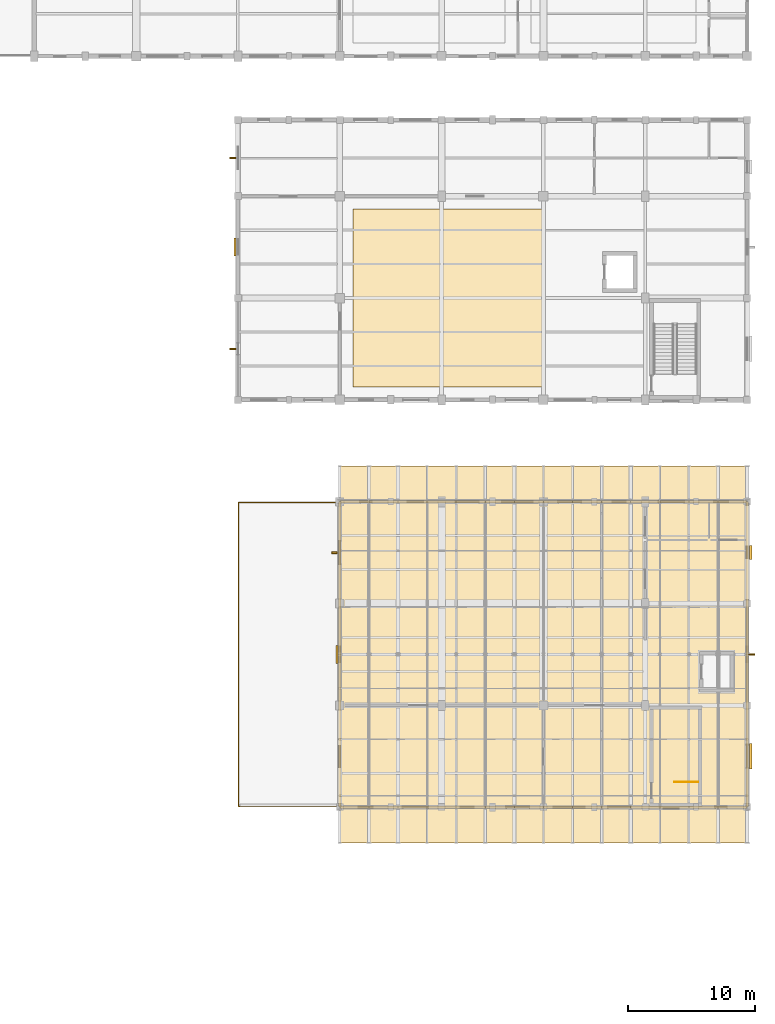
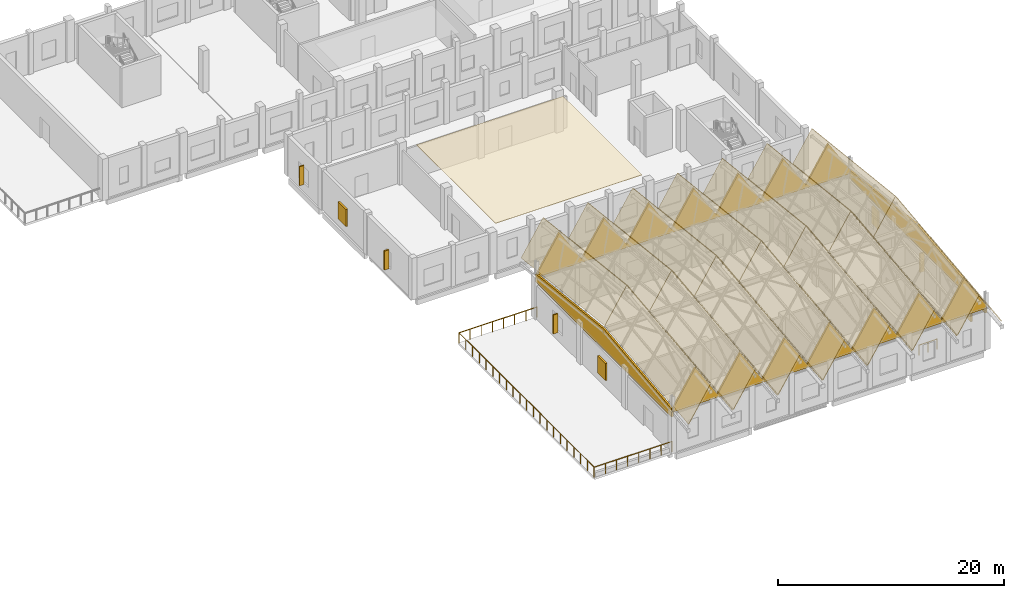
# One storey, part 75 of 77: 33 coverings, 8 shading devices, 2 railings.
"""IFC4 building model written with IfcOpenShell, lengths in metres."""

from ifc_helpers import new_model, si_unit, direction, frame, origin, origin_2d, place, context, subcontext, project, spatial, polyline, rectangle, circle, outline, extrude, material, layer, layer_set, type_object, element, save


model = new_model("IFC4")

# Units and contexts
model_context = context("Model", 3, precision=1e-05, world=origin(), true_north=direction((0.0, 1.0)))
body_context = subcontext(model_context, "Body", "Model", "MODEL_VIEW")
ifc_project = project(units=[si_unit("LENGTHUNIT", "METRE"), si_unit("AREAUNIT", "SQUARE_METRE"), si_unit("VOLUMEUNIT", "CUBIC_METRE"), si_unit("PLANEANGLEUNIT", "RADIAN"), si_unit("MASSUNIT", "GRAM", prefix="KILO")], contexts=[model_context])

# Site, building, storey
site_placement = place(None, origin())
site = spatial("IfcSite", under=ifc_project, at=site_placement, CompositionType="ELEMENT")
building_placement = place(site_placement, origin())
building = spatial("IfcBuilding", under=site, at=building_placement, Name="Luwemba Playhouse", CompositionType="ELEMENT")
storey_placement = place(building_placement, frame((0.0, 0.0, 9.300048828125)))
storey = spatial("IfcBuildingStorey", under=building, at=storey_placement, Name="L02", CompositionType="ELEMENT", Elevation=9.300048828125)

# Coverings
ifc_material_1 = material(Name="Perforated acoustic gypsum and timber baffle ceiling", Category="wood")
ifc_layer_1 = layer(ifc_material_1, 0.044921875)
ifc_layer_set_1 = layer_set([ifc_layer_1], Name="Perforated acoustic gypsum and timber baffle ceiling")
covering_type_1 = type_object("IfcCoveringType", Name="COV-CEIL-AC", PredefinedType="CEILING", material=ifc_layer_set_1)
covering_1_placement = place(storey_placement, frame((0.0, 0.0, 4.224853515625)))
element("IfcCovering", 1, at=covering_1_placement, inside=storey, type_object=covering_type_1, Name="L02 Live Cultural Broadcast Studio acoustic ceiling cloud", PredefinedType="CEILING", context=body_context, shape_type="SweptSolid", body=[
    extrude(outline(polyline([(141.02001953125, 69.02001953125), (155.97998046875, 69.02001953125), (155.97998046875, 82.97998046875), (141.02001953125, 82.97998046875), (141.02001953125, 69.02001953125)])), origin(), (0.0, 0.0, 1.0), 0.045166015625),
])
ifc_material_2 = material(Name="Glazed terracotta clay roof tile", Category="masonry")
ifc_layer_2 = layer(ifc_material_2, 0.06494140625)
ifc_layer_set_2 = layer_set([ifc_layer_2], Name="Glazed terracotta clay roof tile")
covering_type_2 = type_object("IfcCoveringType", Name="COV-ROOF-TILE", PredefinedType="ROOFING", material=ifc_layer_set_2)
covering_2_placement = place(storey_placement, frame((140.02490234375, 33.199951171875, 4.65185546875), z_axis=(-0.846277470832, -0.059386512843, 0.529422028682), x_axis=(0.530358076986, 0.0, 0.847773737607)))
element("IfcCovering", 2, at=covering_2_placement, inside=storey, type_object=covering_type_2, Name="RF-V3 glazed clay-tile roofing 1S", PredefinedType="ROOFING", context=body_context, shape_type="SweptSolid", body=[
    extrude(outline(polyline([(0.0, 0.0), (4.215717532681383, 0.0), (5.623154401754851, 14.826216157498546), (1.4074368690734689, 14.826216157498546), (0.0, 0.0)])), origin(), (0.0, 0.0, -1.0), 0.06494140625),
])
covering_3_placement = place(storey_placement, frame((140.02490234375, 48.0, 6.31201171875), z_axis=(-0.846277470832, 0.059386512843, 0.529422028682), x_axis=(0.530358076986, 0.0, 0.847773737607)))
element("IfcCovering", 3, at=covering_3_placement, inside=storey, type_object=covering_type_2, Name="RF-V3 glazed clay-tile roofing 1N", PredefinedType="ROOFING", context=body_context, shape_type="SweptSolid", body=[
    extrude(outline(polyline([(0.0, 0.0), (4.215717532681383, 0.0), (2.8082806636079143, 14.826216157498546), (-1.4074368690734689, 14.826216157498546), (0.0, 0.0)])), origin(), (0.0, 0.0, -1.0), 0.06494140625),
])
covering_4_placement = place(storey_placement, frame((142.310791015625, 33.199951171875, 8.225830078125), z_axis=(0.8463036975, -0.059381868407, 0.529380624223), x_axis=(0.530316452539, 0.0, -0.847799775988)))
element("IfcCovering", 4, at=covering_4_placement, inside=storey, type_object=covering_type_2, Name="RF-V3 glazed clay-tile roofing 2S", PredefinedType="ROOFING", context=body_context, shape_type="SweptSolid", body=[
    extrude(outline(polyline([(0.0, 0.0), (4.215588055810025, -2.7755575615628914e-17), (2.808107958954328, 14.82621205386775), (-1.4074800968556973, 14.82621205386775), (0.0, 0.0)])), origin(), (0.0, 0.0, -1.0), 0.06494140625),
])
covering_5_placement = place(storey_placement, frame((142.310791015625, 48.0, 9.885986328125), z_axis=(0.8463036975, 0.059381868407, 0.529380624223), x_axis=(0.530316452539, 0.0, -0.847799775988)))
element("IfcCovering", 5, at=covering_5_placement, inside=storey, type_object=covering_type_2, Name="RF-V3 glazed clay-tile roofing 2N", PredefinedType="ROOFING", context=body_context, shape_type="SweptSolid", body=[
    extrude(outline(polyline([(0.0, 0.0), (4.215588055810025, 2.7755575615628914e-17), (5.623068152665723, 14.826212053867748), (1.4074800968556973, 14.82621205386775), (0.0, 0.0)])), origin(), (0.0, 0.0, -1.0), 0.06494140625),
])
covering_6_placement = place(storey_placement, frame((144.596435546875, 33.199951171875, 4.65185546875), z_axis=(-0.846312119209, -0.059376064959, 0.529367811441), x_axis=(0.530303479615, -9.10166e-07, 0.847807890685)))
element("IfcCovering", 6, at=covering_6_placement, inside=storey, type_object=covering_type_2, Name="RF-V3 glazed clay-tile roofing 3S", PredefinedType="ROOFING", context=body_context, shape_type="SweptSolid", body=[
    extrude(outline(polyline([(0.0, 0.0), (4.21558805531475, -1.3877787807814457e-17), (5.623068153326359, 14.826212053617192), (1.4072731136632972, 14.826204366091767), (0.0, 0.0)])), origin(), (0.0, 0.0, -1.0), 0.06494140625),
])
covering_7_placement = place(storey_placement, frame((144.596435546875, 48.0, 6.311767578125), z_axis=(-0.846312119209, 0.059376064959, 0.529367811441), x_axis=(0.53030338782, -9.10122e-07, 0.847807948102)))
element("IfcCovering", 7, at=covering_7_placement, inside=storey, type_object=covering_type_2, Name="RF-V3 glazed clay-tile roofing 3N", PredefinedType="ROOFING", context=body_context, shape_type="SweptSolid", body=[
    extrude(outline(polyline([(0.0, 0.0), (4.21579503967007, 1.3877787807814457e-17), (2.808287905981638, 14.82620948704485), (-1.4073001493261028, 14.826201799896863), (0.0, 0.0)])), origin(), (0.0, 0.0, -1.0), 0.06494140625),
])
covering_8_placement = place(storey_placement, frame((146.882080078125, 33.199951171875, 8.22607421875), z_axis=(0.846294315728, -0.059374905489, 0.52939640324), x_axis=(0.530332039411, 0.0, -0.847790025876)))
element("IfcCovering", 8, at=covering_8_placement, inside=storey, type_object=covering_type_2, Name="RF-V3 glazed clay-tile roofing 4S", PredefinedType="ROOFING", context=body_context, shape_type="SweptSolid", body=[
    extrude(outline(polyline([(0.0, 0.0), (4.215924510679904, -2.7755575615628914e-17), (2.8086675805212145, 14.826205902328967), (-1.4072569301586892, 14.826205902328969), (0.0, 0.0)])), origin(), (0.0, 0.0, -1.0), 0.06494140625),
])
covering_9_placement = place(storey_placement, frame((146.882080078125, 48.0, 9.885986328125), z_axis=(0.846294315728, 0.059374905489, 0.52939640324), x_axis=(0.530332039411, 0.0, -0.847790025876)))
element("IfcCovering", 9, at=covering_9_placement, inside=storey, type_object=covering_type_2, Name="RF-V3 glazed clay-tile roofing 4N", PredefinedType="ROOFING", context=body_context, shape_type="SweptSolid", body=[
    extrude(outline(polyline([(0.0, 0.0), (4.215924510679904, 2.7755575615628914e-17), (5.623181440838593, 14.826205902328969), (1.4072569301586892, 14.826205902328969), (0.0, 0.0)])), origin(), (0.0, 0.0, -1.0), 0.06494140625),
])
covering_10_placement = place(storey_placement, frame((149.16796875, 33.199951171875, 4.65185546875), z_axis=(-0.846312119209, -0.059376064959, 0.529367811441), x_axis=(0.53030338782, 9.10122e-07, 0.847807948102)))
element("IfcCovering", 10, at=covering_10_placement, inside=storey, type_object=covering_type_2, Name="RF-V3 glazed clay-tile roofing 5S", PredefinedType="ROOFING", context=body_context, shape_type="SweptSolid", body=[
    extrude(outline(polyline([(0.0, 0.0), (4.21579503967007, -1.3877787807814457e-17), (5.623095188996173, 14.826201799896863), (1.4075071336884324, 14.82620948704485), (0.0, 0.0)])), origin(), (0.0, 0.0, -1.0), 0.06494140625),
])
covering_11_placement = place(storey_placement, frame((149.16796875, 48.0, 6.31201171875), z_axis=(-0.846312119209, 0.059376064959, 0.529367811441), x_axis=(0.530303479615, 9.10166e-07, 0.847807890685)))
element("IfcCovering", 11, at=covering_11_placement, inside=storey, type_object=covering_type_2, Name="RF-V3 glazed clay-tile roofing 5N", PredefinedType="ROOFING", context=body_context, shape_type="SweptSolid", body=[
    extrude(outline(polyline([(0.0, 0.0), (4.21558805531475, 1.3877787807814457e-17), (2.808314941651452, 14.826204366091769), (-1.4074800980116091, 14.826212053617192), (0.0, 0.0)])), origin(), (0.0, 0.0, -1.0), 0.06494140625),
])
covering_12_placement = place(storey_placement, frame((151.45361328125, 33.199951171875, 8.225830078125), z_axis=(0.8463036975, -0.059381868407, 0.529380624223), x_axis=(0.530316452539, 0.0, -0.847799775988)))
element("IfcCovering", 12, at=covering_12_placement, inside=storey, type_object=covering_type_2, Name="RF-V3 glazed clay-tile roofing 6S", PredefinedType="ROOFING", context=body_context, shape_type="SweptSolid", body=[
    extrude(outline(polyline([(0.0, 0.0), (4.215588055810025, -2.7755575615628914e-17), (2.808107958954328, 14.82621205386775), (-1.4074800968556973, 14.82621205386775), (0.0, 0.0)])), origin(), (0.0, 0.0, -1.0), 0.06494140625),
])
covering_13_placement = place(storey_placement, frame((151.45361328125, 48.0, 9.885986328125), z_axis=(0.8463036975, 0.059381868407, 0.529380624223), x_axis=(0.530316452539, 0.0, -0.847799775988)))
element("IfcCovering", 13, at=covering_13_placement, inside=storey, type_object=covering_type_2, Name="RF-V3 glazed clay-tile roofing 6N", PredefinedType="ROOFING", context=body_context, shape_type="SweptSolid", body=[
    extrude(outline(polyline([(0.0, 0.0), (4.215588055810025, 2.7755575615628914e-17), (5.623068152665723, 14.826212053867748), (1.4074800968556973, 14.82621205386775), (0.0, 0.0)])), origin(), (0.0, 0.0, -1.0), 0.06494140625),
])
covering_14_placement = place(storey_placement, frame((153.7392578125, 33.199951171875, 4.65185546875), z_axis=(-0.846277470832, -0.059386512843, 0.529422028682), x_axis=(0.530358076986, 0.0, 0.847773737607)))
element("IfcCovering", 14, at=covering_14_placement, inside=storey, type_object=covering_type_2, Name="RF-V3 glazed clay-tile roofing 7S", PredefinedType="ROOFING", context=body_context, shape_type="SweptSolid", body=[
    extrude(outline(polyline([(0.0, 0.0), (4.215717532681383, 0.0), (5.623154401754851, 14.826216157498546), (1.4074368690734689, 14.826216157498546), (0.0, 0.0)])), origin(), (0.0, 0.0, -1.0), 0.06494140625),
])
for number, where, z_axis, x_axis, name in (
    (15, (153.7392578125, 48.0, 6.31201171875), (-0.846277470832, 0.059386512843, 0.529422028682), (0.530358076986, 0.0, 0.847773737607), "RF-V3 glazed clay-tile roofing 7N"),
    (16, (156.02490234375, 33.199951171875, 8.225830078125), (0.846277470832, -0.059386512843, 0.529422028682), (0.530358076986, 0.0, -0.847773737607), "RF-V3 glazed clay-tile roofing 8S"),
):
    element("IfcCovering", number, at=place(storey_placement, frame(where, z_axis=z_axis, x_axis=x_axis)), inside=storey, type_object=covering_type_2, Name=name, PredefinedType="ROOFING", context=body_context, shape_type="SweptSolid", body=[
        extrude(outline(polyline([(0.0, 0.0), (4.215717532681383, 0.0), (2.8082806636079143, 14.826216157498546), (-1.4074368690734689, 14.826216157498546), (0.0, 0.0)])), origin(), (0.0, 0.0, -1.0), 0.06494140625),
    ])
covering_15_placement = place(storey_placement, frame((156.02490234375, 48.0, 9.885986328125), z_axis=(0.846277470832, 0.059386512843, 0.529422028682), x_axis=(0.530358076986, 0.0, -0.847773737607)))
element("IfcCovering", 17, at=covering_15_placement, inside=storey, type_object=covering_type_2, Name="RF-V3 glazed clay-tile roofing 8N", PredefinedType="ROOFING", context=body_context, shape_type="SweptSolid", body=[
    extrude(outline(polyline([(0.0, 0.0), (4.215717532681383, 0.0), (5.623154401754851, 14.826216157498546), (1.4074368690734689, 14.826216157498546), (0.0, 0.0)])), origin(), (0.0, 0.0, -1.0), 0.06494140625),
])
covering_16_placement = place(storey_placement, frame((158.310791015625, 33.199951171875, 4.65185546875), z_axis=(-0.8463036975, -0.059381868407, 0.529380624223), x_axis=(0.530316452539, 0.0, 0.847799775988)))
element("IfcCovering", 18, at=covering_16_placement, inside=storey, type_object=covering_type_2, Name="RF-V3 glazed clay-tile roofing 9S", PredefinedType="ROOFING", context=body_context, shape_type="SweptSolid", body=[
    extrude(outline(polyline([(0.0, 0.0), (4.215588055810025, 2.7755575615628914e-17), (5.623068152665723, 14.826212053867748), (1.4074800968556973, 14.82621205386775), (0.0, 0.0)])), origin(), (0.0, 0.0, -1.0), 0.06494140625),
])
covering_17_placement = place(storey_placement, frame((158.310791015625, 48.0, 6.31201171875), z_axis=(-0.8463036975, 0.059381868407, 0.529380624223), x_axis=(0.530316452539, 0.0, 0.847799775988)))
element("IfcCovering", 19, at=covering_17_placement, inside=storey, type_object=covering_type_2, Name="RF-V3 glazed clay-tile roofing 9N", PredefinedType="ROOFING", context=body_context, shape_type="SweptSolid", body=[
    extrude(outline(polyline([(0.0, 0.0), (4.215588055810025, -2.7755575615628914e-17), (2.808107958954328, 14.82621205386775), (-1.4074800968556973, 14.82621205386775), (0.0, 0.0)])), origin(), (0.0, 0.0, -1.0), 0.06494140625),
])
covering_18_placement = place(storey_placement, frame((160.596435546875, 33.199951171875, 8.22607421875), z_axis=(0.846312119209, -0.059376064959, 0.529367811441), x_axis=(0.53030338782, -9.10122e-07, -0.847807948102)))
element("IfcCovering", 20, at=covering_18_placement, inside=storey, type_object=covering_type_2, Name="RF-V3 glazed clay-tile roofing 10S", PredefinedType="ROOFING", context=body_context, shape_type="SweptSolid", body=[
    extrude(outline(polyline([(0.0, 0.0), (4.21579503967007, 1.3877787807814457e-17), (2.808287905981638, 14.82620948704485), (-1.4073001493261028, 14.826201799896863), (0.0, 0.0)])), origin(), (0.0, 0.0, -1.0), 0.06494140625),
])
covering_19_placement = place(storey_placement, frame((160.596435546875, 48.0, 9.885986328125), z_axis=(0.846312119209, 0.059376064959, 0.529367811441), x_axis=(0.530303479615, -9.10166e-07, -0.847807890685)))
element("IfcCovering", 21, at=covering_19_placement, inside=storey, type_object=covering_type_2, Name="RF-V3 glazed clay-tile roofing 10N", PredefinedType="ROOFING", context=body_context, shape_type="SweptSolid", body=[
    extrude(outline(polyline([(0.0, 0.0), (4.21558805531475, -1.3877787807814457e-17), (5.623068153326359, 14.826212053617192), (1.4072731136632972, 14.826204366091767), (0.0, 0.0)])), origin(), (0.0, 0.0, -1.0), 0.06494140625),
])
covering_20_placement = place(storey_placement, frame((162.882080078125, 33.199951171875, 4.65185546875), z_axis=(-0.846294315728, -0.059374905489, 0.52939640324), x_axis=(0.530332039411, 0.0, 0.847790025876)))
element("IfcCovering", 22, at=covering_20_placement, inside=storey, type_object=covering_type_2, Name="RF-V3 glazed clay-tile roofing 11S", PredefinedType="ROOFING", context=body_context, shape_type="SweptSolid", body=[
    extrude(outline(polyline([(0.0, 0.0), (4.215924510679904, 2.7755575615628914e-17), (5.623181440838593, 14.826205902328969), (1.4072569301586892, 14.826205902328969), (0.0, 0.0)])), origin(), (0.0, 0.0, -1.0), 0.06494140625),
])
covering_21_placement = place(storey_placement, frame((162.882080078125, 48.0, 6.311767578125), z_axis=(-0.846294315728, 0.059374905489, 0.52939640324), x_axis=(0.530332039411, 0.0, 0.847790025876)))
element("IfcCovering", 23, at=covering_21_placement, inside=storey, type_object=covering_type_2, Name="RF-V3 glazed clay-tile roofing 11N", PredefinedType="ROOFING", context=body_context, shape_type="SweptSolid", body=[
    extrude(outline(polyline([(0.0, 0.0), (4.215924510679904, -2.7755575615628914e-17), (2.8086675805212145, 14.826205902328967), (-1.4072569301586892, 14.826205902328969), (0.0, 0.0)])), origin(), (0.0, 0.0, -1.0), 0.06494140625),
])
covering_22_placement = place(storey_placement, frame((165.16796875, 33.199951171875, 8.225830078125), z_axis=(0.846312119209, -0.059376064959, 0.529367811441), x_axis=(0.530303479615, 9.10166e-07, -0.847807890685)))
element("IfcCovering", 24, at=covering_22_placement, inside=storey, type_object=covering_type_2, Name="RF-V3 glazed clay-tile roofing 12S", PredefinedType="ROOFING", context=body_context, shape_type="SweptSolid", body=[
    extrude(outline(polyline([(0.0, 0.0), (4.21558805531475, 1.3877787807814457e-17), (2.808314941651452, 14.826204366091769), (-1.4074800980116091, 14.826212053617192), (0.0, 0.0)])), origin(), (0.0, 0.0, -1.0), 0.06494140625),
])
covering_23_placement = place(storey_placement, frame((165.16796875, 48.0, 9.885986328125), z_axis=(0.846312119209, 0.059376064959, 0.529367811441), x_axis=(0.53030338782, 9.10122e-07, -0.847807948102)))
element("IfcCovering", 25, at=covering_23_placement, inside=storey, type_object=covering_type_2, Name="RF-V3 glazed clay-tile roofing 12N", PredefinedType="ROOFING", context=body_context, shape_type="SweptSolid", body=[
    extrude(outline(polyline([(0.0, 0.0), (4.21579503967007, -1.3877787807814457e-17), (5.623095188996173, 14.826201799896863), (1.4075071336884324, 14.82620948704485), (0.0, 0.0)])), origin(), (0.0, 0.0, -1.0), 0.06494140625),
])
covering_24_placement = place(storey_placement, frame((167.45361328125, 33.199951171875, 4.65185546875), z_axis=(-0.8463036975, -0.059381868407, 0.529380624223), x_axis=(0.530316452539, 0.0, 0.847799775988)))
element("IfcCovering", 26, at=covering_24_placement, inside=storey, type_object=covering_type_2, Name="RF-V3 glazed clay-tile roofing 13S", PredefinedType="ROOFING", context=body_context, shape_type="SweptSolid", body=[
    extrude(outline(polyline([(0.0, 0.0), (4.215588055810025, 2.7755575615628914e-17), (5.623068152665723, 14.826212053867748), (1.4074800968556973, 14.82621205386775), (0.0, 0.0)])), origin(), (0.0, 0.0, -1.0), 0.06494140625),
])
covering_25_placement = place(storey_placement, frame((167.45361328125, 48.0, 6.31201171875), z_axis=(-0.8463036975, 0.059381868407, 0.529380624223), x_axis=(0.530316452539, 0.0, 0.847799775988)))
element("IfcCovering", 27, at=covering_25_placement, inside=storey, type_object=covering_type_2, Name="RF-V3 glazed clay-tile roofing 13N", PredefinedType="ROOFING", context=body_context, shape_type="SweptSolid", body=[
    extrude(outline(polyline([(0.0, 0.0), (4.215588055810025, -2.7755575615628914e-17), (2.808107958954328, 14.82621205386775), (-1.4074800968556973, 14.82621205386775), (0.0, 0.0)])), origin(), (0.0, 0.0, -1.0), 0.06494140625),
])
covering_26_placement = place(storey_placement, frame((169.7392578125, 33.199951171875, 8.225830078125), z_axis=(0.846277470832, -0.059386512843, 0.529422028682), x_axis=(0.530358076986, 0.0, -0.847773737607)))
element("IfcCovering", 28, at=covering_26_placement, inside=storey, type_object=covering_type_2, Name="RF-V3 glazed clay-tile roofing 14S", PredefinedType="ROOFING", context=body_context, shape_type="SweptSolid", body=[
    extrude(outline(polyline([(0.0, 0.0), (4.215717532681383, 0.0), (2.8082806636079143, 14.826216157498546), (-1.4074368690734689, 14.826216157498546), (0.0, 0.0)])), origin(), (0.0, 0.0, -1.0), 0.06494140625),
])
covering_27_placement = place(storey_placement, frame((169.7392578125, 48.0, 9.885986328125), z_axis=(0.846277470832, 0.059386512843, 0.529422028682), x_axis=(0.530358076986, 0.0, -0.847773737607)))
element("IfcCovering", 29, at=covering_27_placement, inside=storey, type_object=covering_type_2, Name="RF-V3 glazed clay-tile roofing 14N", PredefinedType="ROOFING", context=body_context, shape_type="SweptSolid", body=[
    extrude(outline(polyline([(0.0, 0.0), (4.215717532681383, 0.0), (5.623154401754851, 14.826216157498546), (1.4074368690734689, 14.826216157498546), (0.0, 0.0)])), origin(), (0.0, 0.0, -1.0), 0.06494140625),
])
ifc_material_3 = material(Name="Structural timber GL24h gable wall infill", Category="wood")
ifc_layer_3 = layer(ifc_material_3, 0.179931640625)
ifc_layer_set_3 = layer_set([ifc_layer_3], Name="Structural timber GL24h gable wall infill")
covering_type_3 = type_object("IfcCoveringType", Name="COV-TIM-TYMP", PredefinedType="CLADDING", material=ifc_layer_set_3)
covering_28_placement = place(storey_placement, frame((172.0, 36.0, 4.320068359375), z_axis=(0.0, 0.0, 1.0), x_axis=(-1.0, 0.0, 0.0)))
element("IfcCovering", 30, at=covering_28_placement, inside=storey, type_object=covering_type_3, Name="RF-V3 south pleated timber fold wall 012", PredefinedType="CLADDING", context=body_context, shape_type="SweptSolid", body=[
    extrude(outline(polyline([(0.0, 0.0), (32.0, 0.0), (32.0, 0.35498046875), (29.71435546875, 4.0087890625), (27.4287109375, 0.35498046875), (25.142822265625, 4.009033203125), (22.857177734375, 0.35498046875), (20.5712890625, 4.0087890625), (18.28564453125, 0.35498046875), (16.0, 4.0087890625), (13.71435546875, 0.35498046875), (11.4287109375, 4.0087890625), (9.142822265625, 0.354736328125), (6.857177734375, 4.0087890625), (4.5712890625, 0.35498046875), (2.28564453125, 4.0087890625), (0.0, 0.35498046875), (0.0, 0.0)])), frame((0.0, 0.08984375, 0.0), z_axis=(0.0, -1.0, 0.0), x_axis=(1.0, 0.0, 0.0)), (0.0, 0.0, 1.0), 0.179931640625),
])
covering_29_placement = place(storey_placement, frame((140.0, 60.0, 4.320068359375), z_axis=(0.0, 0.0, 1.0), x_axis=(1.0, 0.0, 0.0)))
element("IfcCovering", 31, at=covering_29_placement, inside=storey, type_object=covering_type_3, Name="RF-V3 north pleated timber fold wall 013", PredefinedType="CLADDING", context=body_context, shape_type="SweptSolid", body=[
    extrude(outline(polyline([(0.0, 0.0), (32.0, 0.0), (32.0, 0.35498046875), (29.71435546875, 4.0087890625), (27.4287109375, 0.35498046875), (25.142822265625, 4.0087890625), (22.857177734375, 0.354736328125), (20.5712890625, 4.0087890625), (18.28564453125, 0.35498046875), (16.0, 4.0087890625), (13.71435546875, 0.35498046875), (11.4287109375, 4.0087890625), (9.142822265625, 0.35498046875), (6.857177734375, 4.009033203125), (4.5712890625, 0.35498046875), (2.28564453125, 4.0087890625), (0.0, 0.35498046875), (0.0, 0.0)])), frame((0.0, 0.08984375, 0.0), z_axis=(0.0, -1.0, 0.0), x_axis=(1.0, 0.0, 0.0)), (0.0, 0.0, 1.0), 0.179931640625),
])
for number, where, z_axis, x_axis, name in (
    (32, (140.0, 36.0, 3.780029296875), (0.0, 0.0, 1.0), (0.0, 1.0, 0.0), "RF-V3 west timber gable infill 014"),
    (33, (172.0, 60.0, 3.780029296875), (0.0, 0.0, 1.0), (0.0, -1.0, 0.0), "RF-V3 east timber gable infill 015"),
):
    element("IfcCovering", number, at=place(storey_placement, frame(where, z_axis=z_axis, x_axis=x_axis)), inside=storey, type_object=covering_type_3, Name=name, PredefinedType="CLADDING", context=body_context, shape_type="SweptSolid", body=[
        extrude(outline(polyline([(0.0, 0.0), (24.0, 0.0), (24.0, 0.89501953125), (12.0, 2.240966796875), (0.0, 0.89501953125), (0.0, 0.0)])), frame((0.0, 0.08984375, 0.0), z_axis=(0.0, -1.0, 0.0), x_axis=(1.0, 0.0, 0.0)), (0.0, 0.0, 1.0), 0.179931640625),
    ])

# Railings
ifc_material_4 = material(Name="Painted wrought-iron balustrade", Category="steel")
railing_type_1 = type_object("IfcRailingType", Name="RLG-BAL-EXT", PredefinedType="BALUSTRADE", material=ifc_material_4)
railing_1_placement = place(storey_placement, frame((140.0, 36.050048828125, 0.0)))
element("IfcRailing", 34, at=railing_1_placement, inside=storey, type_object=railing_type_1, Name="L02 Studio Cloister Terrace perimeter guard", PredefinedType="BALUSTRADE", context=body_context, shape_type="SweptSolid", body=[
    extrude(circle(Radius=0.02392578125, at=origin_2d()), frame((0.0, 0.0, 1.09619140625), z_axis=(-1.0, 0.0, 0.0), x_axis=(0.0, -1.0, 0.0)), (0.0, 0.0, 1.0), 7.949951171875),
    extrude(circle(Radius=0.02392578125, at=origin_2d()), frame((-7.949951171875, 0.0, 1.09619140625), z_axis=(0.0, 1.0, 0.0), x_axis=(-1.0, 0.0, 0.0)), (0.0, 0.0, 1.0), 23.89990234375),
    extrude(circle(Radius=0.02392578125, at=origin_2d()), frame((-7.949951171875, 23.89990234375, 1.09619140625), z_axis=(1.0, 0.0, 0.0), x_axis=(0.0, 1.0, 0.0)), (0.0, 0.0, 1.0), 7.949951171875),
    extrude(circle(Radius=0.02099609375, at=origin_2d()), origin(), (0.0, 0.0, 1.0), 1.072021484375),
    extrude(circle(Radius=0.02099609375, at=origin_2d()), frame((-1.1357421875, 0.0, 0.0)), (0.0, 0.0, 1.0), 1.072021484375),
    extrude(circle(Radius=0.02099609375, at=origin_2d()), frame((-2.271484375, 0.0, 0.0)), (0.0, 0.0, 1.0), 1.072021484375),
    extrude(circle(Radius=0.02099609375, at=origin_2d()), frame((-3.4072265625, 0.0, 0.0)), (0.0, 0.0, 1.0), 1.072021484375),
    extrude(circle(Radius=0.02099609375, at=origin_2d()), frame((-4.542724609375, 0.0, 0.0)), (0.0, 0.0, 1.0), 1.072021484375),
    extrude(circle(Radius=0.02099609375, at=origin_2d()), frame((-5.678466796875, 0.0, 0.0)), (0.0, 0.0, 1.0), 1.072021484375),
    extrude(circle(Radius=0.02099609375, at=origin_2d()), frame((-6.814208984375, 0.0, 0.0)), (0.0, 0.0, 1.0), 1.072021484375),
    extrude(circle(Radius=0.02099609375, at=origin_2d()), frame((-7.949951171875, 0.0, 0.0)), (0.0, 0.0, 1.0), 1.072021484375),
    extrude(circle(Radius=0.02099609375, at=origin_2d()), frame((-7.949951171875, 1.195068359375, 0.0)), (0.0, 0.0, 1.0), 1.072021484375),
    extrude(circle(Radius=0.02099609375, at=origin_2d()), frame((-7.949951171875, 2.389892578125, 0.0)), (0.0, 0.0, 1.0), 1.072021484375),
    extrude(circle(Radius=0.02099609375, at=origin_2d()), frame((-7.949951171875, 3.5849609375, 0.0)), (0.0, 0.0, 1.0), 1.072021484375),
    extrude(circle(Radius=0.02099609375, at=origin_2d()), frame((-7.949951171875, 4.780029296875, 0.0)), (0.0, 0.0, 1.0), 1.072021484375),
    extrude(circle(Radius=0.02099609375, at=origin_2d()), frame((-7.949951171875, 5.97509765625, 0.0)), (0.0, 0.0, 1.0), 1.072021484375),
    extrude(circle(Radius=0.02099609375, at=origin_2d()), frame((-7.949951171875, 7.169921875, 0.0)), (0.0, 0.0, 1.0), 1.072021484375),
    extrude(circle(Radius=0.02099609375, at=origin_2d()), frame((-7.949951171875, 8.364990234375, 0.0)), (0.0, 0.0, 1.0), 1.072021484375),
    extrude(circle(Radius=0.02099609375, at=origin_2d()), frame((-7.949951171875, 9.56005859375, 0.0)), (0.0, 0.0, 1.0), 1.072021484375),
    extrude(circle(Radius=0.02099609375, at=origin_2d()), frame((-7.949951171875, 10.7548828125, 0.0)), (0.0, 0.0, 1.0), 1.072021484375),
    extrude(circle(Radius=0.02099609375, at=origin_2d()), frame((-7.949951171875, 11.949951171875, 0.0)), (0.0, 0.0, 1.0), 1.072021484375),
    extrude(circle(Radius=0.02099609375, at=origin_2d()), frame((-7.949951171875, 13.14501953125, 0.0)), (0.0, 0.0, 1.0), 1.072021484375),
    extrude(circle(Radius=0.02099609375, at=origin_2d()), frame((-7.949951171875, 14.33984375, 0.0)), (0.0, 0.0, 1.0), 1.072021484375),
    extrude(circle(Radius=0.02099609375, at=origin_2d()), frame((-7.949951171875, 15.534912109375, 0.0)), (0.0, 0.0, 1.0), 1.072021484375),
    extrude(circle(Radius=0.02099609375, at=origin_2d()), frame((-7.949951171875, 16.72998046875, 0.0)), (0.0, 0.0, 1.0), 1.072021484375),
    extrude(circle(Radius=0.02099609375, at=origin_2d()), frame((-7.949951171875, 17.9248046875, 0.0)), (0.0, 0.0, 1.0), 1.072021484375),
    extrude(circle(Radius=0.02099609375, at=origin_2d()), frame((-7.949951171875, 19.119873046875, 0.0)), (0.0, 0.0, 1.0), 1.072021484375),
    extrude(circle(Radius=0.02099609375, at=origin_2d()), frame((-7.949951171875, 20.31494140625, 0.0)), (0.0, 0.0, 1.0), 1.072021484375),
    extrude(circle(Radius=0.02099609375, at=origin_2d()), frame((-7.949951171875, 21.510009765625, 0.0)), (0.0, 0.0, 1.0), 1.072021484375),
    extrude(circle(Radius=0.02099609375, at=origin_2d()), frame((-7.949951171875, 22.704833984375, 0.0)), (0.0, 0.0, 1.0), 1.072021484375),
    extrude(circle(Radius=0.02099609375, at=origin_2d()), frame((-7.949951171875, 23.89990234375, 0.0)), (0.0, 0.0, 1.0), 1.072021484375),
    extrude(circle(Radius=0.02099609375, at=origin_2d()), frame((-6.814208984375, 23.89990234375, 0.0)), (0.0, 0.0, 1.0), 1.072021484375),
    extrude(circle(Radius=0.02099609375, at=origin_2d()), frame((-5.678466796875, 23.89990234375, 0.0)), (0.0, 0.0, 1.0), 1.072021484375),
    extrude(circle(Radius=0.02099609375, at=origin_2d()), frame((-4.542724609375, 23.89990234375, 0.0)), (0.0, 0.0, 1.0), 1.072021484375),
    extrude(circle(Radius=0.02099609375, at=origin_2d()), frame((-3.4072265625, 23.89990234375, 0.0)), (0.0, 0.0, 1.0), 1.072021484375),
    extrude(circle(Radius=0.02099609375, at=origin_2d()), frame((-2.271484375, 23.89990234375, 0.0)), (0.0, 0.0, 1.0), 1.072021484375),
    extrude(circle(Radius=0.02099609375, at=origin_2d()), frame((-1.1357421875, 23.89990234375, 0.0)), (0.0, 0.0, 1.0), 1.072021484375),
    extrude(circle(Radius=0.02099609375, at=origin_2d()), frame((0.0, 23.89990234375, 0.0)), (0.0, 0.0, 1.0), 1.072021484375),
])
ifc_material_5 = material(Name="Painted wrought-iron gallery balustrade", Category="steel")
railing_type_2 = type_object("IfcRailingType", Name="RLG-BAL-INT", PredefinedType="BALUSTRADE", material=ifc_material_5)
railing_2_placement = place(storey_placement, frame((168.14990234375, 37.989990234375, 0.0)))
element("IfcRailing", 35, at=railing_2_placement, inside=storey, type_object=railing_type_2, Name="L02 ST-06 top well guard 1", PredefinedType="BALUSTRADE", context=body_context, shape_type="SweptSolid", body=[
    extrude(circle(Radius=0.02392578125, at=origin_2d()), frame((0.0, 0.0, 1.09619140625), z_axis=(-1.0, 0.0, 0.0), x_axis=(0.0, -1.0, 0.0)), (0.0, 0.0, 1.0), 1.849853515625),
    extrude(circle(Radius=0.02099609375, at=origin_2d()), origin(), (0.0, 0.0, 1.0), 1.072021484375),
    extrude(circle(Radius=0.02099609375, at=origin_2d()), frame((-0.9248046875, 0.0, 0.0)), (0.0, 0.0, 1.0), 1.072021484375),
    extrude(circle(Radius=0.02099609375, at=origin_2d()), frame((-1.849853515625, 0.0, 0.0)), (0.0, 0.0, 1.0), 1.072021484375),
])

# Shading devices
ifc_material_6 = material(Name="Extruded terracotta brise-soleil fin on steel bracket", Category="masonry")
shading_device_type_1 = type_object("IfcShadingDeviceType", Name="SHD-BRISE", PredefinedType="USERDEFINED", material=ifc_material_6)
for number, where, z_axis, x_axis, name in (
    (36, (139.590087890625, 56.0, 0.82470703125), (0.0, 0.0, 1.0), (0.0, 1.0, 0.0), "L02 terracotta brise-soleil fin 051"),
    (37, (172.360107421875, 48.0, 0.82470703125), (0.0, 0.0, 1.0), (0.0, -1.0, 0.0), "L02 terracotta brise-soleil fin 053"),
    (38, (131.590087890625, 72.0, 0.82470703125), (0.0, 0.0, 1.0), (0.0, 1.0, 0.0), "L02 terracotta brise-soleil fin 055"),
    (39, (131.590087890625, 87.0, 0.82470703125), (0.0, 0.0, 1.0), (0.0, 1.0, 0.0), "L02 terracotta brise-soleil fin 057"),
):
    element("IfcShadingDevice", number, at=place(storey_placement, frame(where, z_axis=z_axis, x_axis=x_axis)), inside=storey, type_object=shading_device_type_1, Name=name, ObjectType="TERRACOTTA BRISE SOLEIL", PredefinedType="USERDEFINED", context=body_context, shape_type="SweptSolid", body=[
        extrude(rectangle(XDim=0.139892578125, YDim=0.449951171875, at=origin_2d()), origin(), (0.0, 0.0, 1.0), 2.050048828125),
    ])
ifc_material_7 = material(Name="Kiln-fired terracotta gelosia louvre screen", Category="masonry")
shading_device_type_2 = type_object("IfcShadingDeviceType", Name="SHD-GELOSIA", PredefinedType="JALOUSIE", material=ifc_material_7)
shading_device_1_placement = place(storey_placement, frame((139.77490234375, 48.0, 0.9248046875), z_axis=(0.0, 0.0, 1.0), x_axis=(0.0, 1.0, 0.0)))
element("IfcShadingDevice", 40, at=shading_device_1_placement, inside=storey, type_object=shading_device_type_2, Name="L02 fired-clay gelosia screen 050", PredefinedType="JALOUSIE", context=body_context, shape_type="SweptSolid", body=[
    extrude(rectangle(XDim=1.39990234375, YDim=0.179931640625, at=origin_2d()), origin(), (0.0, 0.0, 1.0), 1.85009765625),
])
shading_device_2_placement = place(storey_placement, frame((172.27490234375, 56.0, 0.9248046875), z_axis=(0.0, 0.0, 1.0), x_axis=(0.0, -1.0, 0.0)))
element("IfcShadingDevice", 41, at=shading_device_2_placement, inside=storey, type_object=shading_device_type_2, Name="L02 fired-clay gelosia screen 052", PredefinedType="JALOUSIE", context=body_context, shape_type="SweptSolid", body=[
    extrude(rectangle(XDim=1.10009765625, YDim=0.179931640625, at=origin_2d()), origin(), (0.0, 0.0, 1.0), 1.85009765625),
])
shading_device_3_placement = place(storey_placement, frame((172.27490234375, 40.0, 0.9248046875), z_axis=(0.0, 0.0, 1.0), x_axis=(0.0, -1.0, 0.0)))
element("IfcShadingDevice", 42, at=shading_device_3_placement, inside=storey, type_object=shading_device_type_2, Name="L02 fired-clay gelosia screen 054", PredefinedType="JALOUSIE", context=body_context, shape_type="SweptSolid", body=[
    extrude(rectangle(XDim=2.0, YDim=0.179931640625, at=origin_2d()), origin(), (0.0, 0.0, 1.0), 1.85009765625),
])
shading_device_4_placement = place(storey_placement, frame((131.77490234375, 80.0, 0.9248046875), z_axis=(0.0, 0.0, 1.0), x_axis=(0.0, 1.0, 0.0)))
element("IfcShadingDevice", 43, at=shading_device_4_placement, inside=storey, type_object=shading_device_type_2, Name="L02 fired-clay gelosia screen 056", PredefinedType="JALOUSIE", context=body_context, shape_type="SweptSolid", body=[
    extrude(rectangle(XDim=1.39990234375, YDim=0.179931640625, at=origin_2d()), origin(), (0.0, 0.0, 1.0), 1.85009765625),
])

save(model, "model.ifc")
